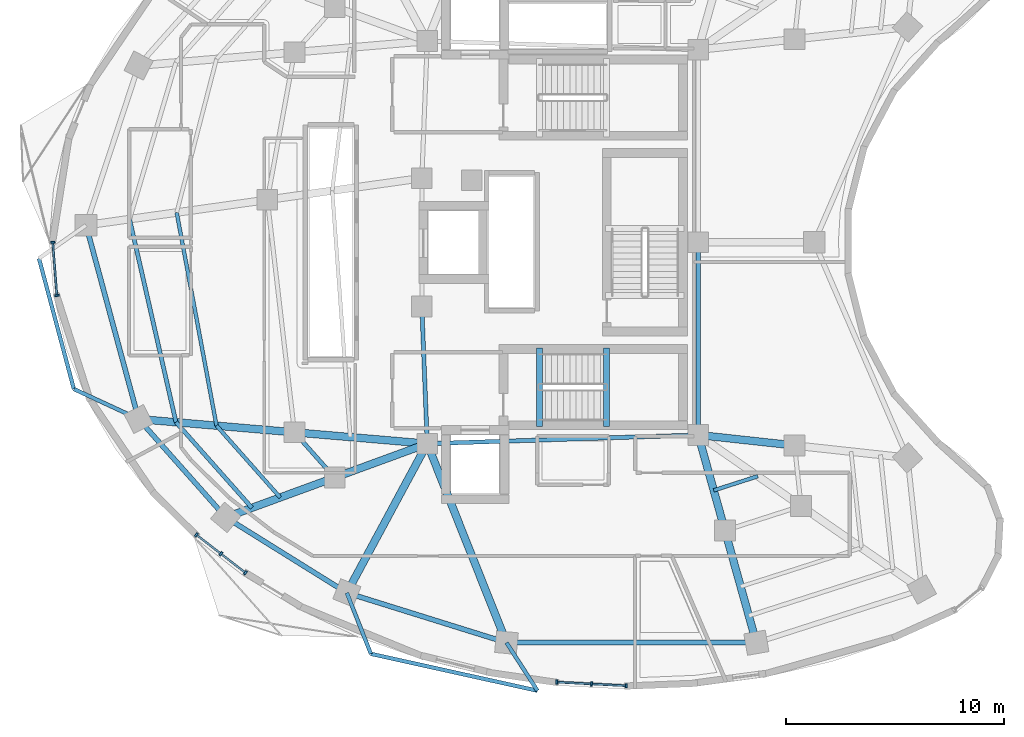
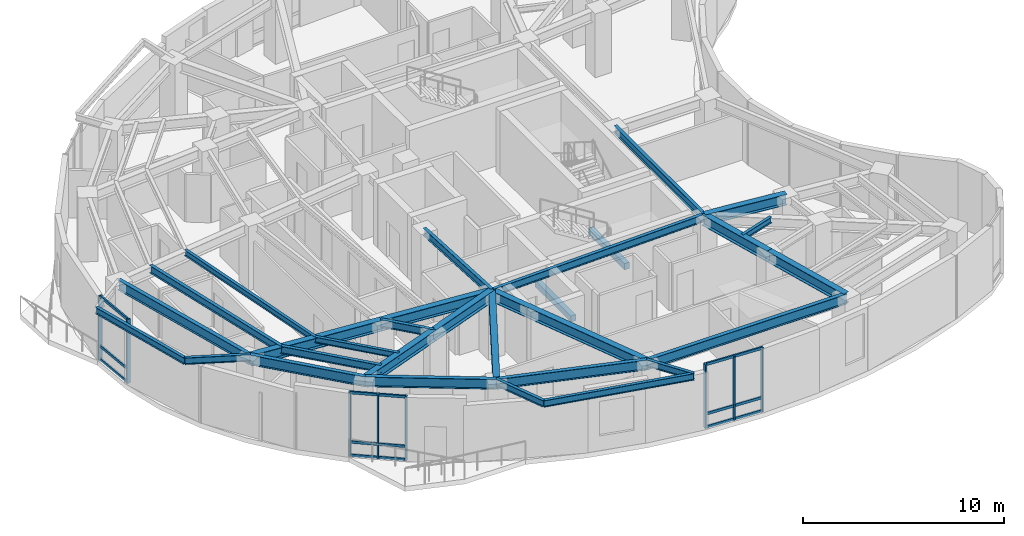
# One storey, part 2 of 13: 30 beams, 23 members, 3 elements without a shape of their own.
"""IFC4 building model written with IfcOpenShell, lengths in metres."""

from ifc_helpers import new_model, si_unit, direction, frame, origin, origin_2d, place, context, subcontext, project, spatial, rectangle, i_section, extrude, material, layer, layer_set, material_profile, profile_set, type_object, element, aggregate, save


model = new_model("IFC4")

# Units and contexts
model_context = context("Model", 3, precision=1e-05, world=origin(), true_north=direction((0.0, 1.0)))
body_context = subcontext(model_context, "Body", "Model", "MODEL_VIEW")
ifc_project = project(units=[si_unit("LENGTHUNIT", "METRE"), si_unit("AREAUNIT", "SQUARE_METRE"), si_unit("VOLUMEUNIT", "CUBIC_METRE"), si_unit("PLANEANGLEUNIT", "RADIAN"), si_unit("MASSUNIT", "GRAM", prefix="KILO")], contexts=[model_context])

# Site, building, storey
site_placement = place(None, origin())
site = spatial("IfcSite", under=ifc_project, at=site_placement, CompositionType="ELEMENT")
building_placement = place(site_placement, origin())
building = spatial("IfcBuilding", under=site, at=building_placement, Name="Korentha Bioscience Tower", CompositionType="ELEMENT")
storey_placement = place(building_placement, frame((0.0, 0.0, 171.0)))
storey = spatial("IfcBuildingStorey", under=building, at=storey_placement, Name="L39", CompositionType="ELEMENT", Elevation=171.0)

# Beams
ifc_material_1 = material(Name="Concrete C50", Category="concrete")
ifc_material_profile_1 = material_profile(ifc_material_1, rectangle(XDim=0.280029296875, YDim=0.3798828125, at=origin_2d()), Name="Concrete C50")
ifc_profile_set_1 = profile_set([ifc_material_profile_1], Name="Concrete C50 (ST-HB380)")
beam_type_1 = type_object("IfcBeamType", Name="Concrete Stair Header Beam RC 280x380", PredefinedType="BEAM", material=ifc_profile_set_1)
for number, where, z_axis, x_axis, name in (
    (1, (30.25, 18.550048828125, -0.18994140625), (0.0, 1.0, 0.0), (-1.0, 0.0, 0.0), "L39 ST-2 Concrete Stair Header Beam"),
    (2, (33.330078125, 18.550048828125, 1.909912109375), (0.0, 1.0, 0.0), (-1.0, 0.0, 0.0), "L39 ST-2 Half-Landing Header Beam 1"),
):
    element("IfcBeam", number, at=place(storey_placement, frame(where, z_axis=z_axis, x_axis=x_axis)), inside=storey, type_object=beam_type_1, Name=name, PredefinedType="BEAM", context=body_context, shape_type="SweptSolid", body=[
        extrude(rectangle(XDim=0.280029296875, YDim=0.3798828125, at=origin_2d()), origin(), (0.0, 0.0, 1.0), 3.599853515625),
    ])
ifc_material_2 = material(Name="Steel S355", Category="steel")
ifc_material_profile_2 = material_profile(ifc_material_2, i_section(OverallWidth=0.18994140625, OverallDepth=0.45703125, WebThickness=0.009033203125, FlangeThickness=0.014404296875, at=origin_2d()), Name="Steel S355")
ifc_profile_set_2 = profile_set([ifc_material_profile_2], Name="Steel S355 (MB-460)")
beam_type_2 = type_object("IfcBeamType", Name="Mid-Ring Tie Girder W460x74", PredefinedType="BEAM", material=ifc_profile_set_2)
beam_1_placement = place(storey_placement, frame((18.99951171875, 18.27001953125, 3.67138671875), z_axis=(0.663512238321, -0.748165429299, 0.0), x_axis=(0.748165429299, 0.663512238321, 0.0)))
element("IfcBeam", 3, at=beam_1_placement, inside=storey, type_object=beam_type_2, Name="L39 Mid-Ring Tie Girder 08", PredefinedType="BEAM", context=body_context, shape_type="SweptSolid", body=[
    extrude(i_section(OverallWidth=0.18994140625, OverallDepth=0.45703125, WebThickness=0.009033203125, FlangeThickness=0.014404296875, at=origin_2d()), origin(), (0.0, 0.0, 1.0), 2.77734375),
])
beam_2_placement = place(storey_placement, frame((24.85009765625, 24.050048828125, 3.67138671875), z_axis=(0.039651025576, -0.999213588864, 0.0), x_axis=(0.999213588864, 0.039651025576, 0.0)))
element("IfcBeam", 4, at=beam_2_placement, inside=storey, type_object=beam_type_2, Name="L39 Core Ring Tie Girder 04", PredefinedType="BEAM", context=body_context, shape_type="SweptSolid", body=[
    extrude(i_section(OverallWidth=0.18994140625, OverallDepth=0.45703125, WebThickness=0.009033203125, FlangeThickness=0.014404296875, at=origin_2d()), origin(), (0.0, 0.0, 1.0), 6.304931640625),
])
beam_3_placement = place(storey_placement, frame((25.10009765625, 17.75, 3.67138671875), z_axis=(0.999484526071, 0.032104238723, 0.0), x_axis=(-0.032104238723, 0.999484526071, 0.0)))
element("IfcBeam", 5, at=beam_3_placement, inside=storey, type_object=beam_type_2, Name="L39 Core Ring Tie Girder 05", PredefinedType="BEAM", context=body_context, shape_type="SweptSolid", body=[
    extrude(i_section(OverallWidth=0.18994140625, OverallDepth=0.45703125, WebThickness=0.009033203125, FlangeThickness=0.014404296875, at=origin_2d()), origin(), (0.0, 0.0, 1.0), 12.456298828125),
])
beam_4_placement = place(storey_placement, frame((37.550048828125, 18.14990234375, 3.67138671875), z_axis=(0.0, 1.0, 0.0), x_axis=(-1.0, 0.0, 0.0)))
element("IfcBeam", 6, at=beam_4_placement, inside=storey, type_object=beam_type_2, Name="L39 Core Ring Tie Girder 06", PredefinedType="BEAM", context=body_context, shape_type="SweptSolid", body=[
    extrude(i_section(OverallWidth=0.18994140625, OverallDepth=0.45703125, WebThickness=0.009033203125, FlangeThickness=0.014404296875, at=origin_2d()), origin(), (0.0, 0.0, 1.0), 8.85009765625),
])

# Curtain wall, members
ifc_material_3 = material(Name="Thermally Broken Aluminium Frame", Category="aluminium")
ifc_layer = layer(ifc_material_3, 0.219970703125, Name="Thermally Broken Aluminium Frame")
ifc_layer_set = layer_set([ifc_layer], Name="Thermally Broken Aluminium Frame (CW-T1)")
curtain_wall_type = type_object("IfcCurtainWallType", Name="Standard Bioscience Lab Unitised Curtain Wall CW-T1", PredefinedType="USERDEFINED", material=ifc_layer_set)
curtain_wall_1_placement = place(storey_placement, origin())
curtain_wall_1 = element("IfcCurtainWall", 7, at=curtain_wall_1_placement, inside=storey, type_object=curtain_wall_type, Name="L39 Curtain Wall 19", ObjectType="UNITISED", PredefinedType="USERDEFINED")
ifc_material_4 = material(Name="Anodised Aluminium 6063-T6", Category="aluminium")
ifc_material_profile_3 = material_profile(ifc_material_4, rectangle(XDim=0.090087890625, YDim=0.199951171875, at=origin_2d()), Name="Anodised Aluminium 6063-T6")
ifc_profile_set_3 = profile_set([ifc_material_profile_3], Name="Anodised Aluminium 6063-T6 (CW-MUL)")
member_type_1 = type_object("IfcMemberType", Name="Mullion RECT 90x200", PredefinedType="MULLION", material=ifc_profile_set_3)
member_1_placement = place(storey_placement, frame((7.89599609375, 27.007568359375, 0.0), z_axis=(0.0, 0.0, 1.0), x_axis=(0.078030772566, -0.996950950916, 0.0)))
member_1 = element("IfcMember", 8, at=member_1_placement, type_object=member_type_1, Name="CW-L39-19 Mullion 1", PredefinedType="MULLION", context=body_context, shape_type="SweptSolid", body=[
    extrude(rectangle(XDim=0.090087890625, YDim=0.199951171875, at=origin_2d()), origin(), (0.0, 0.0, 1.0), 3.89990234375),
])
member_2_placement = place(storey_placement, frame((8.087890625, 24.5546875, 0.0), z_axis=(0.0, 0.0, 1.0), x_axis=(0.078030772566, -0.996950950916, 0.0)))
member_2 = element("IfcMember", 9, at=member_2_placement, type_object=member_type_1, Name="CW-L39-19 Mullion 2", PredefinedType="MULLION", context=body_context, shape_type="SweptSolid", body=[
    extrude(rectangle(XDim=0.090087890625, YDim=0.199951171875, at=origin_2d()), origin(), (0.0, 0.0, 1.0), 3.89990234375),
])

curtain_wall_2_placement = place(storey_placement, origin())
curtain_wall_2 = element("IfcCurtainWall", 10, at=curtain_wall_2_placement, inside=storey, type_object=curtain_wall_type, Name="L39 Curtain Wall 25", ObjectType="UNITISED", PredefinedType="USERDEFINED")
member_3_placement = place(storey_placement, frame((14.492431640625, 13.563232421875, 0.0), z_axis=(0.0, 0.0, 1.0), x_axis=(0.790546796919, -0.612401634454, 0.0)))
member_3 = element("IfcMember", 11, at=member_3_placement, type_object=member_type_1, Name="CW-L39-25 Mullion 1", PredefinedType="MULLION", context=body_context, shape_type="SweptSolid", body=[
    extrude(rectangle(XDim=0.090087890625, YDim=0.199951171875, at=origin_2d()), origin(), (0.0, 0.0, 1.0), 3.89990234375),
])
member_4_placement = place(storey_placement, frame((15.618896484375, 12.690673828125, 0.0), z_axis=(0.0, 0.0, 1.0), x_axis=(0.790546796919, -0.612401634454, 0.0)))
member_4 = element("IfcMember", 12, at=member_4_placement, type_object=member_type_1, Name="CW-L39-25 Mullion 2", PredefinedType="MULLION", context=body_context, shape_type="SweptSolid", body=[
    extrude(rectangle(XDim=0.090087890625, YDim=0.199951171875, at=origin_2d()), origin(), (0.0, 0.0, 1.0), 3.89990234375),
])
member_5_placement = place(storey_placement, frame((16.745361328125, 11.818115234375, 0.0), z_axis=(0.0, 0.0, 1.0), x_axis=(0.790546796919, -0.612401634454, 0.0)))
member_5 = element("IfcMember", 13, at=member_5_placement, type_object=member_type_1, Name="CW-L39-25 Mullion 3", PredefinedType="MULLION", context=body_context, shape_type="SweptSolid", body=[
    extrude(rectangle(XDim=0.090087890625, YDim=0.199951171875, at=origin_2d()), origin(), (0.0, 0.0, 1.0), 3.89990234375),
])

curtain_wall_3_placement = place(storey_placement, origin())
curtain_wall_3 = element("IfcCurtainWall", 14, at=curtain_wall_3_placement, inside=storey, type_object=curtain_wall_type, Name="L39 Curtain Wall 31", ObjectType="UNITISED", PredefinedType="USERDEFINED")
member_6_placement = place(storey_placement, frame((31.0517578125, 6.79541015625, 0.0), z_axis=(0.0, 0.0, 1.0), x_axis=(0.998637677307, -0.052180355139, 0.0)))
member_6 = element("IfcMember", 15, at=member_6_placement, type_object=member_type_1, Name="CW-L39-31 Mullion 1", PredefinedType="MULLION", context=body_context, shape_type="SweptSolid", body=[
    extrude(rectangle(XDim=0.090087890625, YDim=0.199951171875, at=origin_2d()), origin(), (0.0, 0.0, 1.0), 3.89990234375),
])
member_7_placement = place(storey_placement, frame((32.64794921875, 6.7119140625, 0.0), z_axis=(0.0, 0.0, 1.0), x_axis=(0.998637677307, -0.052180355139, 0.0)))
member_7 = element("IfcMember", 16, at=member_7_placement, type_object=member_type_1, Name="CW-L39-31 Mullion 2", PredefinedType="MULLION", context=body_context, shape_type="SweptSolid", body=[
    extrude(rectangle(XDim=0.090087890625, YDim=0.199951171875, at=origin_2d()), origin(), (0.0, 0.0, 1.0), 3.89990234375),
])
member_8_placement = place(storey_placement, frame((34.244140625, 6.628662109375, 0.0), z_axis=(0.0, 0.0, 1.0), x_axis=(0.998637677307, -0.052180355139, 0.0)))
member_8 = element("IfcMember", 17, at=member_8_placement, type_object=member_type_1, Name="CW-L39-31 Mullion 3", PredefinedType="MULLION", context=body_context, shape_type="SweptSolid", body=[
    extrude(rectangle(XDim=0.090087890625, YDim=0.199951171875, at=origin_2d()), origin(), (0.0, 0.0, 1.0), 3.89990234375),
])

# Beams
ifc_material_profile_4 = material_profile(ifc_material_2, i_section(OverallWidth=0.22802734375, OverallDepth=0.60791015625, WebThickness=0.01123046875, FlangeThickness=0.017333984375, at=origin_2d()), Name="Steel S355")
ifc_profile_set_4 = profile_set([ifc_material_profile_4], Name="Steel S355 (SB-610)")
beam_type_3 = type_object("IfcBeamType", Name="Perimeter Ring Spandrel Girder W610x113", PredefinedType="SPANDREL", material=ifc_profile_set_4)
beam_5_placement = place(storey_placement, frame((9.422607421875, 27.785888671875, 3.595947265625), z_axis=(0.261762629829, -0.965132284003, 0.0), x_axis=(0.965132284003, 0.261762629829, 0.0)))
element("IfcBeam", 18, at=beam_5_placement, inside=storey, type_object=beam_type_3, Name="L39 Perimeter Spandrel Girder 07", PredefinedType="SPANDREL", context=body_context, shape_type="SweptSolid", body=[
    extrude(i_section(OverallWidth=0.22802734375, OverallDepth=0.60791015625, WebThickness=0.01123046875, FlangeThickness=0.017333984375, at=origin_2d()), origin(), (0.0, 0.0, 1.0), 9.22705078125),
])
beam_6_placement = place(storey_placement, frame((11.837890625, 18.880615234375, 3.595947265625), z_axis=(0.663502544942, -0.748174025782, 0.0), x_axis=(0.748174025782, 0.663502544942, 0.0)))
element("IfcBeam", 19, at=beam_6_placement, inside=storey, type_object=beam_type_3, Name="L39 Perimeter Spandrel Girder 08", PredefinedType="SPANDREL", context=body_context, shape_type="SweptSolid", body=[
    extrude(i_section(OverallWidth=0.22802734375, OverallDepth=0.60791015625, WebThickness=0.01123046875, FlangeThickness=0.017333984375, at=origin_2d()), origin(), (0.0, 0.0, 1.0), 6.037841796875),
])
beam_7_placement = place(storey_placement, frame((15.843994140625, 14.36328125, 3.595947265625), z_axis=(0.848675740059, -0.528913497876, 0.0), x_axis=(0.528913497876, 0.848675740059, 0.0)))
element("IfcBeam", 20, at=beam_7_placement, inside=storey, type_object=beam_type_3, Name="L39 Perimeter Spandrel Girder 09", PredefinedType="SPANDREL", context=body_context, shape_type="SweptSolid", body=[
    extrude(i_section(OverallWidth=0.22802734375, OverallDepth=0.60791015625, WebThickness=0.01123046875, FlangeThickness=0.017333984375, at=origin_2d()), origin(), (0.0, 0.0, 1.0), 6.55322265625),
])
beam_8_placement = place(storey_placement, frame((21.405517578125, 10.897216796875, 3.595947265625), z_axis=(0.954638172607, -0.29776829818, 0.0), x_axis=(0.29776829818, 0.954638172607, 0.0)))
element("IfcBeam", 21, at=beam_8_placement, inside=storey, type_object=beam_type_3, Name="L39 Perimeter Spandrel Girder 10", PredefinedType="SPANDREL", context=body_context, shape_type="SweptSolid", body=[
    extrude(i_section(OverallWidth=0.22802734375, OverallDepth=0.60791015625, WebThickness=0.01123046875, FlangeThickness=0.017333984375, at=origin_2d()), origin(), (0.0, 0.0, 1.0), 7.682373046875),
])
beam_9_placement = place(storey_placement, frame((28.739501953125, 8.609619140625, 3.595947265625), z_axis=(0.99999988041, -0.000489059883, 0.0), x_axis=(0.000489059883, 0.99999988041, 0.0)))
element("IfcBeam", 22, at=beam_9_placement, inside=storey, type_object=beam_type_3, Name="L39 Perimeter Spandrel Girder 11", PredefinedType="SPANDREL", context=body_context, shape_type="SweptSolid", body=[
    extrude(i_section(OverallWidth=0.22802734375, OverallDepth=0.60791015625, WebThickness=0.01123046875, FlangeThickness=0.017333984375, at=origin_2d()), origin(), (0.0, 0.0, 1.0), 11.481689453125),
])
ifc_material_profile_5 = material_profile(ifc_material_2, i_section(OverallWidth=0.18994140625, OverallDepth=0.45703125, WebThickness=0.009033203125, FlangeThickness=0.014404296875, at=origin_2d()), Name="Steel S355")
ifc_profile_set_5 = profile_set([ifc_material_profile_5], Name="Steel S355 (RB-460)")
beam_type_4 = type_object("IfcBeamType", Name="Radial Laboratory Beam W460x74", PredefinedType="BEAM", material=ifc_profile_set_5)
beam_10_placement = place(storey_placement, frame((11.421875, 28.06640625, 3.67138671875), z_axis=(0.222990987745, -0.974820506239, 0.0), x_axis=(0.974820506239, 0.222990987745, 0.0)))
element("IfcBeam", 23, at=beam_10_placement, inside=storey, type_object=beam_type_4, Name="L39 Secondary Floor Beam JSTO-07", PredefinedType="BEAM", context=body_context, shape_type="SweptSolid", body=[
    extrude(i_section(OverallWidth=0.18994140625, OverallDepth=0.45703125, WebThickness=0.009033203125, FlangeThickness=0.014404296875, at=origin_2d()), origin(), (0.0, 0.0, 1.0), 9.5732421875),
])
beam_11_placement = place(storey_placement, frame((13.556640625, 18.734130859375, 3.67138671875), z_axis=(0.663495511182, -0.748180263467, 0.0), x_axis=(0.748180263467, 0.663495511182, 0.0)))
element("IfcBeam", 24, at=beam_11_placement, inside=storey, type_object=beam_type_4, Name="L39 Secondary Floor Beam JSTO-08", PredefinedType="BEAM", context=body_context, shape_type="SweptSolid", body=[
    extrude(i_section(OverallWidth=0.18994140625, OverallDepth=0.45703125, WebThickness=0.009033203125, FlangeThickness=0.014404296875, at=origin_2d()), origin(), (0.0, 0.0, 1.0), 5.255615234375),
])
ifc_material_profile_6 = material_profile(ifc_material_2, i_section(OverallWidth=0.35009765625, OverallDepth=0.64990234375, WebThickness=0.01611328125, FlangeThickness=0.02490234375, at=origin_2d()), Name="Steel S355")
ifc_profile_set_6 = profile_set([ifc_material_profile_6], Name="Steel S355 (RB-650)")
beam_type_5 = type_object("IfcBeamType", Name="Radial Laboratory Girder CVS 650x208", PredefinedType="BEAM", material=ifc_profile_set_6)
beam_12_placement = place(storey_placement, frame((25.10009765625, 17.75, 3.574951171875), z_axis=(-0.996386672138, 0.084932912264, 0.0), x_axis=(-0.084932912264, -0.996386672138, 0.0)))
element("IfcBeam", 25, at=beam_12_placement, inside=storey, type_object=beam_type_5, Name="L39 Inner Radial Girder 08", PredefinedType="BEAM", context=body_context, shape_type="SweptSolid", body=[
    extrude(i_section(OverallWidth=0.35009765625, OverallDepth=0.64990234375, WebThickness=0.01611328125, FlangeThickness=0.02490234375, at=origin_2d()), origin(), (0.0, 0.0, 1.0), 6.122802734375),
])
beam_13_placement = place(storey_placement, frame((18.99951171875, 18.27001953125, 3.574951171875), z_axis=(-0.996385111181, 0.084951222577, 0.0), x_axis=(-0.084951222577, -0.996385111181, 0.0)))
element("IfcBeam", 26, at=beam_13_placement, inside=storey, type_object=beam_type_5, Name="L39 Outer Radial Girder 08", PredefinedType="BEAM", context=body_context, shape_type="SweptSolid", body=[
    extrude(i_section(OverallWidth=0.35009765625, OverallDepth=0.64990234375, WebThickness=0.01611328125, FlangeThickness=0.02490234375, at=origin_2d()), origin(), (0.0, 0.0, 1.0), 7.1875),
])
beam_14_placement = place(storey_placement, frame((25.10009765625, 17.75, 3.574951171875), z_axis=(-0.939113952431, -0.343605856105, 0.0), x_axis=(0.343605856105, -0.939113952431, 0.0)))
element("IfcBeam", 27, at=beam_14_placement, inside=storey, type_object=beam_type_5, Name="L39 Inner Radial Girder 09", PredefinedType="BEAM", context=body_context, shape_type="SweptSolid", body=[
    extrude(i_section(OverallWidth=0.35009765625, OverallDepth=0.64990234375, WebThickness=0.01611328125, FlangeThickness=0.02490234375, at=origin_2d()), origin(), (0.0, 0.0, 1.0), 4.533935546875),
])
beam_15_placement = place(storey_placement, frame((20.84228515625, 16.192138671875, 3.574951171875), z_axis=(-0.939109855566, -0.343617053097, 0.0), x_axis=(0.343617053097, -0.939109855566, 0.0)))
element("IfcBeam", 28, at=beam_15_placement, inside=storey, type_object=beam_type_5, Name="L39 Outer Radial Girder 09", PredefinedType="BEAM", context=body_context, shape_type="SweptSolid", body=[
    extrude(i_section(OverallWidth=0.35009765625, OverallDepth=0.64990234375, WebThickness=0.01611328125, FlangeThickness=0.02490234375, at=origin_2d()), origin(), (0.0, 0.0, 1.0), 5.322265625),
])
beam_16_placement = place(storey_placement, frame((25.10009765625, 17.75, 3.574951171875), z_axis=(-0.474559790141, -0.880223270302, 0.0), x_axis=(0.880223270302, -0.474559790141, 0.0)))
element("IfcBeam", 29, at=beam_16_placement, inside=storey, type_object=beam_type_5, Name="L39 Radial Girder 10", PredefinedType="BEAM", context=body_context, shape_type="SweptSolid", body=[
    extrude(i_section(OverallWidth=0.35009765625, OverallDepth=0.64990234375, WebThickness=0.01611328125, FlangeThickness=0.02490234375, at=origin_2d()), origin(), (0.0, 0.0, 1.0), 7.785400390625),
])
beam_17_placement = place(storey_placement, frame((25.10009765625, 17.75, 3.574951171875), z_axis=(0.369922682955, -0.929062542909, 0.0), x_axis=(0.929062542909, 0.369922682955, 0.0)))
element("IfcBeam", 30, at=beam_17_placement, inside=storey, type_object=beam_type_5, Name="L39 Radial Girder 11", PredefinedType="BEAM", context=body_context, shape_type="SweptSolid", body=[
    extrude(i_section(OverallWidth=0.35009765625, OverallDepth=0.64990234375, WebThickness=0.01611328125, FlangeThickness=0.02490234375, at=origin_2d()), origin(), (0.0, 0.0, 1.0), 9.83837890625),
])
beam_18_placement = place(storey_placement, frame((37.550048828125, 18.14990234375, 3.574951171875), z_axis=(0.269477001654, -0.963006825303, 0.0), x_axis=(0.963006825303, 0.269477001654, 0.0)))
element("IfcBeam", 31, at=beam_18_placement, inside=storey, type_object=beam_type_5, Name="L39 Inner Radial Girder 12", PredefinedType="BEAM", context=body_context, shape_type="SweptSolid", body=[
    extrude(i_section(OverallWidth=0.35009765625, OverallDepth=0.64990234375, WebThickness=0.01611328125, FlangeThickness=0.02490234375, at=origin_2d()), origin(), (0.0, 0.0, 1.0), 4.559814453125),
])
beam_19_placement = place(storey_placement, frame((38.77880859375, 13.7587890625, 3.574951171875), z_axis=(0.269464128344, -0.963010427532, 0.0), x_axis=(0.963010427532, 0.269464128344, 0.0)))
element("IfcBeam", 32, at=beam_19_placement, inside=storey, type_object=beam_type_5, Name="L39 Outer Radial Girder 12", PredefinedType="BEAM", context=body_context, shape_type="SweptSolid", body=[
    extrude(i_section(OverallWidth=0.35009765625, OverallDepth=0.64990234375, WebThickness=0.01611328125, FlangeThickness=0.02490234375, at=origin_2d()), origin(), (0.0, 0.0, 1.0), 5.352783203125),
])
beam_20_placement = place(storey_placement, frame((37.550048828125, 18.14990234375, 3.574951171875), z_axis=(0.994118939953, -0.108293735857, 0.0), x_axis=(0.108293735857, 0.994118939953, 0.0)))
element("IfcBeam", 33, at=beam_20_placement, inside=storey, type_object=beam_type_5, Name="L39 Inner Radial Girder 14", PredefinedType="BEAM", context=body_context, shape_type="SweptSolid", body=[
    extrude(i_section(OverallWidth=0.35009765625, OverallDepth=0.64990234375, WebThickness=0.01611328125, FlangeThickness=0.02490234375, at=origin_2d()), origin(), (0.0, 0.0, 1.0), 4.4501953125),
])
ifc_material_profile_7 = material_profile(ifc_material_2, i_section(OverallWidth=0.1708984375, OverallDepth=0.35498046875, WebThickness=0.007080078125, FlangeThickness=0.01171875, at=origin_2d()), Name="Steel S355")
ifc_profile_set_7 = profile_set([ifc_material_profile_7], Name="Steel S355 (JB-360)")
beam_type_6 = type_object("IfcBeamType", Name="Secondary Laboratory Joist W360x51", PredefinedType="JOIST", material=ifc_profile_set_7)
beam_21_placement = place(storey_placement, frame((13.587890625, 28.3701171875, 3.722412109375), z_axis=(0.183736713841, -0.982975493076, 0.0), x_axis=(0.982975493076, 0.183736713841, 0.0)))
element("IfcBeam", 34, at=beam_21_placement, inside=storey, type_object=beam_type_6, Name="L39 Secondary Floor Beam JST-07", PredefinedType="JOIST", context=body_context, shape_type="SweptSolid", body=[
    extrude(i_section(OverallWidth=0.1708984375, OverallDepth=0.35498046875, WebThickness=0.007080078125, FlangeThickness=0.01171875, at=origin_2d()), origin(), (0.0, 0.0, 1.0), 9.96435546875),
])
beam_22_placement = place(storey_placement, frame((15.418701171875, 18.575439453125, 3.722412109375), z_axis=(0.663462598754, -0.748209449322, 0.0), x_axis=(0.748209449322, 0.663462598754, 0.0)))
element("IfcBeam", 35, at=beam_22_placement, inside=storey, type_object=beam_type_6, Name="L39 Secondary Floor Beam JST-08", PredefinedType="JOIST", context=body_context, shape_type="SweptSolid", body=[
    extrude(i_section(OverallWidth=0.1708984375, OverallDepth=0.35498046875, WebThickness=0.007080078125, FlangeThickness=0.01171875, at=origin_2d()), origin(), (0.0, 0.0, 1.0), 4.40771484375),
])
beam_23_placement = place(storey_placement, frame((38.2626953125, 15.60302734375, 3.722412109375), z_axis=(0.952010669267, 0.306064838885, 0.0), x_axis=(-0.306064838885, 0.952010669267, 0.0)))
element("IfcBeam", 36, at=beam_23_placement, inside=storey, type_object=beam_type_6, Name="L39 Inner Bay Joist 12", PredefinedType="JOIST", context=body_context, shape_type="SweptSolid", body=[
    extrude(i_section(OverallWidth=0.1708984375, OverallDepth=0.35498046875, WebThickness=0.007080078125, FlangeThickness=0.01171875, at=origin_2d()), origin(), (0.0, 0.0, 1.0), 2.1298828125),
])
ifc_material_profile_8 = material_profile(ifc_material_2, i_section(OverallWidth=0.177978515625, OverallDepth=0.406982421875, WebThickness=0.0078125, FlangeThickness=0.0126953125, at=origin_2d()), Name="Steel S355")
ifc_profile_set_8 = profile_set([ifc_material_profile_8], Name="Steel S355 (CB-410)")
beam_type_7 = type_object("IfcBeamType", Name="Sun-Ledge Cantilever Beam W410x60", PredefinedType="BEAM", material=ifc_profile_set_8)
beam_24_placement = place(storey_placement, frame((11.837890625, 18.880615234375, 3.698486328125), z_axis=(-0.907251681669, 0.420588143091, 0.0), x_axis=(-0.420588143091, -0.907251681669, 0.0)))
element("IfcBeam", 37, at=beam_24_placement, inside=storey, type_object=beam_type_7, Name="L39 Balcony Cantilever Bracket B-L40-02", PredefinedType="BEAM", context=body_context, shape_type="SweptSolid", body=[
    extrude(i_section(OverallWidth=0.177978515625, OverallDepth=0.406982421875, WebThickness=0.0078125, FlangeThickness=0.0126953125, at=origin_2d()), origin(), (0.0, 0.0, 1.0), 3.27734375),
])
beam_25_placement = place(storey_placement, frame((7.26123046875, 26.26025390625, 3.698486328125), z_axis=(0.258105398274, -0.96611676488, 0.0), x_axis=(0.96611676488, 0.258105398274, 0.0)))
element("IfcBeam", 38, at=beam_25_placement, inside=storey, type_object=beam_type_7, Name="L39 Balcony Edge Trimmer Beam L40-02", PredefinedType="BEAM", context=body_context, shape_type="SweptSolid", body=[
    extrude(i_section(OverallWidth=0.177978515625, OverallDepth=0.406982421875, WebThickness=0.0078125, FlangeThickness=0.0126953125, at=origin_2d()), origin(), (0.0, 0.0, 1.0), 6.211669921875),
])
beam_26_placement = place(storey_placement, frame((21.405517578125, 10.897216796875, 3.698486328125), z_axis=(0.366329003488, -0.930485390107, 0.0), x_axis=(0.930485390107, 0.366329003488, 0.0)))
element("IfcBeam", 39, at=beam_26_placement, inside=storey, type_object=beam_type_7, Name="L39 Balcony Cantilever Bracket A-L40-03", PredefinedType="BEAM", context=body_context, shape_type="SweptSolid", body=[
    extrude(i_section(OverallWidth=0.177978515625, OverallDepth=0.406982421875, WebThickness=0.0078125, FlangeThickness=0.0126953125, at=origin_2d()), origin(), (0.0, 0.0, 1.0), 3.013671875),
])
beam_27_placement = place(storey_placement, frame((28.739501953125, 8.609619140625, 3.698486328125), z_axis=(0.541648853106, -0.84060485362, 0.0), x_axis=(0.84060485362, 0.541648853106, 0.0)))
element("IfcBeam", 40, at=beam_27_placement, inside=storey, type_object=beam_type_7, Name="L39 Balcony Cantilever Bracket B-L40-03", PredefinedType="BEAM", context=body_context, shape_type="SweptSolid", body=[
    extrude(i_section(OverallWidth=0.177978515625, OverallDepth=0.406982421875, WebThickness=0.0078125, FlangeThickness=0.0126953125, at=origin_2d()), origin(), (0.0, 0.0, 1.0), 2.629638671875),
])
beam_28_placement = place(storey_placement, frame((22.509521484375, 8.093017578125, 3.698486328125), z_axis=(0.976378662051, -0.21606644416, 0.0), x_axis=(0.21606644416, 0.976378662051, 0.0)))
element("IfcBeam", 41, at=beam_28_placement, inside=storey, type_object=beam_type_7, Name="L39 Balcony Edge Trimmer Beam L40-03", PredefinedType="BEAM", context=body_context, shape_type="SweptSolid", body=[
    extrude(i_section(OverallWidth=0.177978515625, OverallDepth=0.406982421875, WebThickness=0.0078125, FlangeThickness=0.0126953125, at=origin_2d()), origin(), (0.0, 0.0, 1.0), 7.83935546875),
])

# Member
ifc_material_profile_9 = material_profile(ifc_material_4, rectangle(XDim=0.090087890625, YDim=0.159912109375, at=origin_2d()), Name="Anodised Aluminium 6063-T6")
ifc_profile_set_9 = profile_set([ifc_material_profile_9], Name="Anodised Aluminium 6063-T6 (CW-TRN)")
member_type_2 = type_object("IfcMemberType", Name="Transom RECT 90x160", PredefinedType="USERDEFINED", material=ifc_profile_set_9)
member_9_placement = place(storey_placement, frame((7.8994140625, 26.962646484375, 0.044921875), z_axis=(0.078074822466, -0.996947502177, 0.0), x_axis=(0.996947502177, 0.078074822466, 0.0)))
member_9 = element("IfcMember", 42, at=member_9_placement, type_object=member_type_2, Name="CW-L39-19 Bay 1 Transom 1", ObjectType="TRANSOM", PredefinedType="USERDEFINED", context=body_context, shape_type="SweptSolid", body=[
    extrude(rectangle(XDim=0.090087890625, YDim=0.159912109375, at=origin_2d()), origin(), (0.0, 0.0, 1.0), 2.370361328125),
])

member_10_placement = place(storey_placement, frame((7.8994140625, 26.962646484375, 0.85009765625), z_axis=(0.078074822466, -0.996947502177, 0.0), x_axis=(0.996947502177, 0.078074822466, 0.0)))
member_10 = element("IfcMember", 43, at=member_10_placement, type_object=member_type_2, Name="CW-L39-19 Bay 1 Transom 2", ObjectType="TRANSOM", PredefinedType="USERDEFINED", context=body_context, shape_type="SweptSolid", body=[
    extrude(rectangle(XDim=0.090087890625, YDim=0.159912109375, at=origin_2d()), origin(), (0.0, 0.0, 1.0), 2.370361328125),
])

member_11_placement = place(storey_placement, frame((7.8994140625, 26.962646484375, 3.85498046875), z_axis=(0.078074822466, -0.996947502177, 0.0), x_axis=(0.996947502177, 0.078074822466, 0.0)))
member_11 = element("IfcMember", 44, at=member_11_placement, type_object=member_type_2, Name="CW-L39-19 Bay 1 Transom 3", ObjectType="TRANSOM", PredefinedType="USERDEFINED", context=body_context, shape_type="SweptSolid", body=[
    extrude(rectangle(XDim=0.090087890625, YDim=0.159912109375, at=origin_2d()), origin(), (0.0, 0.0, 1.0), 2.370361328125),
])

aggregate(curtain_wall_1, [member_1, member_2, member_9, member_10, member_11])

member_12_placement = place(storey_placement, frame((14.528076171875, 13.535888671875, 0.044921875), z_axis=(0.790463754503, -0.612508818563, 0.0), x_axis=(0.612508818563, 0.790463754503, 0.0)))
member_12 = element("IfcMember", 45, at=member_12_placement, type_object=member_type_2, Name="CW-L39-25 Bay 1 Transom 1", ObjectType="TRANSOM", PredefinedType="USERDEFINED", context=body_context, shape_type="SweptSolid", body=[
    extrude(rectangle(XDim=0.090087890625, YDim=0.159912109375, at=origin_2d()), origin(), (0.0, 0.0, 1.0), 1.3349609375),
])

member_13_placement = place(storey_placement, frame((14.528076171875, 13.535888671875, 0.85009765625), z_axis=(0.790463754503, -0.612508818563, 0.0), x_axis=(0.612508818563, 0.790463754503, 0.0)))
member_13 = element("IfcMember", 46, at=member_13_placement, type_object=member_type_2, Name="CW-L39-25 Bay 1 Transom 2", ObjectType="TRANSOM", PredefinedType="USERDEFINED", context=body_context, shape_type="SweptSolid", body=[
    extrude(rectangle(XDim=0.090087890625, YDim=0.159912109375, at=origin_2d()), origin(), (0.0, 0.0, 1.0), 1.3349609375),
])

member_14_placement = place(storey_placement, frame((14.528076171875, 13.535888671875, 3.85498046875), z_axis=(0.790463754503, -0.612508818563, 0.0), x_axis=(0.612508818563, 0.790463754503, 0.0)))
member_14 = element("IfcMember", 47, at=member_14_placement, type_object=member_type_2, Name="CW-L39-25 Bay 1 Transom 3", ObjectType="TRANSOM", PredefinedType="USERDEFINED", context=body_context, shape_type="SweptSolid", body=[
    extrude(rectangle(XDim=0.090087890625, YDim=0.159912109375, at=origin_2d()), origin(), (0.0, 0.0, 1.0), 1.3349609375),
])

member_15_placement = place(storey_placement, frame((15.654541015625, 12.6630859375, 0.044921875), z_axis=(0.79055230676, -0.612394521756, 0.0), x_axis=(0.612394521756, 0.79055230676, 0.0)))
member_15 = element("IfcMember", 48, at=member_15_placement, type_object=member_type_2, Name="CW-L39-25 Bay 2 Transom 1", ObjectType="TRANSOM", PredefinedType="USERDEFINED", context=body_context, shape_type="SweptSolid", body=[
    extrude(rectangle(XDim=0.090087890625, YDim=0.159912109375, at=origin_2d()), origin(), (0.0, 0.0, 1.0), 1.334716796875),
])

member_16_placement = place(storey_placement, frame((15.654541015625, 12.6630859375, 0.85009765625), z_axis=(0.79055230676, -0.612394521756, 0.0), x_axis=(0.612394521756, 0.79055230676, 0.0)))
member_16 = element("IfcMember", 49, at=member_16_placement, type_object=member_type_2, Name="CW-L39-25 Bay 2 Transom 2", ObjectType="TRANSOM", PredefinedType="USERDEFINED", context=body_context, shape_type="SweptSolid", body=[
    extrude(rectangle(XDim=0.090087890625, YDim=0.159912109375, at=origin_2d()), origin(), (0.0, 0.0, 1.0), 1.334716796875),
])

member_17_placement = place(storey_placement, frame((15.654541015625, 12.6630859375, 3.85498046875), z_axis=(0.79055230676, -0.612394521756, 0.0), x_axis=(0.612394521756, 0.79055230676, 0.0)))
member_17 = element("IfcMember", 50, at=member_17_placement, type_object=member_type_2, Name="CW-L39-25 Bay 2 Transom 3", ObjectType="TRANSOM", PredefinedType="USERDEFINED", context=body_context, shape_type="SweptSolid", body=[
    extrude(rectangle(XDim=0.090087890625, YDim=0.159912109375, at=origin_2d()), origin(), (0.0, 0.0, 1.0), 1.334716796875),
])

aggregate(curtain_wall_2, [member_3, member_4, member_5, member_12, member_13, member_14, member_15, member_16, member_17])

member_18_placement = place(storey_placement, frame((31.0966796875, 6.793212890625, 0.044921875), z_axis=(0.998632544532, -0.052278494633, 0.0), x_axis=(0.052278494633, 0.998632544532, 0.0)))
member_18 = element("IfcMember", 51, at=member_18_placement, type_object=member_type_2, Name="CW-L39-31 Bay 1 Transom 1", ObjectType="TRANSOM", PredefinedType="USERDEFINED", context=body_context, shape_type="SweptSolid", body=[
    extrude(rectangle(XDim=0.090087890625, YDim=0.159912109375, at=origin_2d()), origin(), (0.0, 0.0, 1.0), 1.50830078125),
])

member_19_placement = place(storey_placement, frame((31.0966796875, 6.793212890625, 0.85009765625), z_axis=(0.998632544532, -0.052278494633, 0.0), x_axis=(0.052278494633, 0.998632544532, 0.0)))
member_19 = element("IfcMember", 52, at=member_19_placement, type_object=member_type_2, Name="CW-L39-31 Bay 1 Transom 2", ObjectType="TRANSOM", PredefinedType="USERDEFINED", context=body_context, shape_type="SweptSolid", body=[
    extrude(rectangle(XDim=0.090087890625, YDim=0.159912109375, at=origin_2d()), origin(), (0.0, 0.0, 1.0), 1.50830078125),
])

member_20_placement = place(storey_placement, frame((31.0966796875, 6.793212890625, 3.85498046875), z_axis=(0.998632544532, -0.052278494633, 0.0), x_axis=(0.052278494633, 0.998632544532, 0.0)))
member_20 = element("IfcMember", 53, at=member_20_placement, type_object=member_type_2, Name="CW-L39-31 Bay 1 Transom 3", ObjectType="TRANSOM", PredefinedType="USERDEFINED", context=body_context, shape_type="SweptSolid", body=[
    extrude(rectangle(XDim=0.090087890625, YDim=0.159912109375, at=origin_2d()), origin(), (0.0, 0.0, 1.0), 1.50830078125),
])

member_21_placement = place(storey_placement, frame((32.69287109375, 6.709716796875, 0.044921875), z_axis=(0.998640981416, -0.052117082012, 0.0), x_axis=(0.052117082012, 0.998640981416, 0.0)))
member_21 = element("IfcMember", 54, at=member_21_placement, type_object=member_type_2, Name="CW-L39-31 Bay 2 Transom 1", ObjectType="TRANSOM", PredefinedType="USERDEFINED", context=body_context, shape_type="SweptSolid", body=[
    extrude(rectangle(XDim=0.090087890625, YDim=0.159912109375, at=origin_2d()), origin(), (0.0, 0.0, 1.0), 1.50830078125),
])

member_22_placement = place(storey_placement, frame((32.69287109375, 6.709716796875, 0.85009765625), z_axis=(0.998640981416, -0.052117082012, 0.0), x_axis=(0.052117082012, 0.998640981416, 0.0)))
member_22 = element("IfcMember", 55, at=member_22_placement, type_object=member_type_2, Name="CW-L39-31 Bay 2 Transom 2", ObjectType="TRANSOM", PredefinedType="USERDEFINED", context=body_context, shape_type="SweptSolid", body=[
    extrude(rectangle(XDim=0.090087890625, YDim=0.159912109375, at=origin_2d()), origin(), (0.0, 0.0, 1.0), 1.50830078125),
])

member_23_placement = place(storey_placement, frame((32.69287109375, 6.709716796875, 3.85498046875), z_axis=(0.998640981416, -0.052117082012, 0.0), x_axis=(0.052117082012, 0.998640981416, 0.0)))
member_23 = element("IfcMember", 56, at=member_23_placement, type_object=member_type_2, Name="CW-L39-31 Bay 2 Transom 3", ObjectType="TRANSOM", PredefinedType="USERDEFINED", context=body_context, shape_type="SweptSolid", body=[
    extrude(rectangle(XDim=0.090087890625, YDim=0.159912109375, at=origin_2d()), origin(), (0.0, 0.0, 1.0), 1.50830078125),
])

aggregate(curtain_wall_3, [member_6, member_7, member_8, member_18, member_19, member_20, member_21, member_22, member_23])

save(model, "model.ifc")
